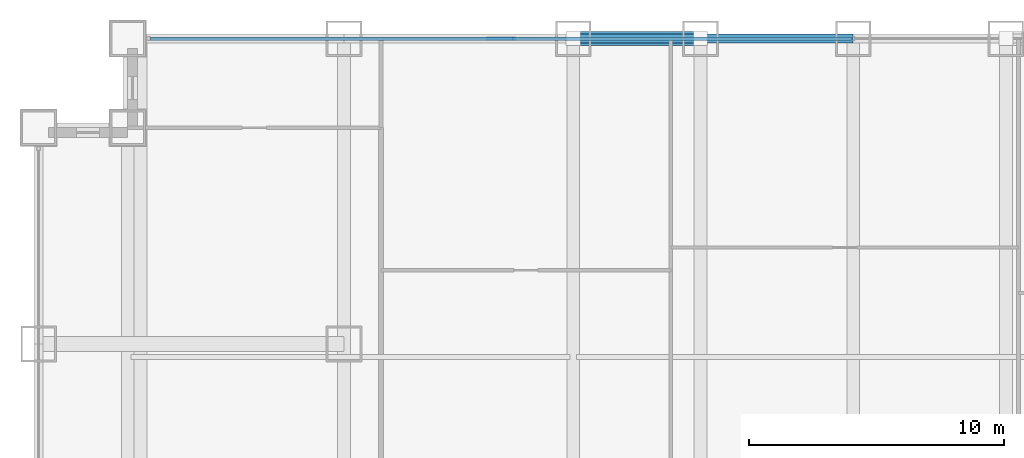
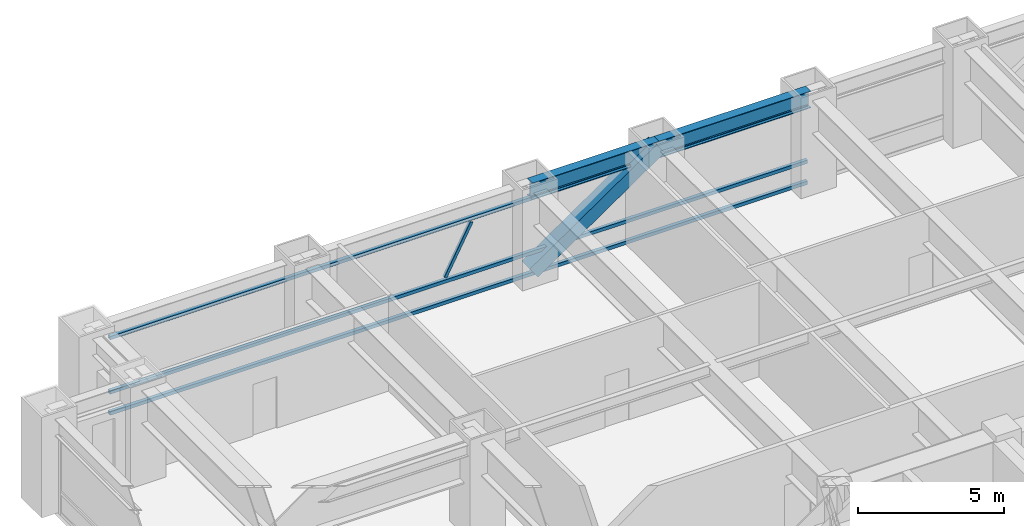
# One storey, part 18 of 29: 5 members, 2 beams, 1 element without a shape of its own.
"""IFC4 building model written with IfcOpenShell, lengths in metres."""

from ifc_helpers import new_model, si_unit, direction, frame, origin, origin_2d, place, context, subcontext, project, spatial, hollow_rectangle, i_section, extrude, source, transform, mapped, material, material_profile, profile_set, type_object, element, aggregate, save


model = new_model("IFC4")

# Units and contexts
model_context = context("Model", 3, precision=1e-05, world=origin(), true_north=direction((0.0, 1.0)))
body_context = subcontext(model_context, "Body", "Model", "MODEL_VIEW")
ifc_project = project(units=[si_unit("LENGTHUNIT", "METRE"), si_unit("AREAUNIT", "SQUARE_METRE"), si_unit("VOLUMEUNIT", "CUBIC_METRE"), si_unit("PLANEANGLEUNIT", "RADIAN"), si_unit("MASSUNIT", "GRAM", prefix="KILO")], contexts=[model_context])

# Site, building, storey
site_placement = place(None, origin())
site = spatial("IfcSite", under=ifc_project, at=site_placement, CompositionType="ELEMENT")
building_placement = place(site_placement, origin())
building = spatial("IfcBuilding", under=site, at=building_placement, Name="Khorayat Bourse Tower", CompositionType="ELEMENT")
storey_placement = place(building_placement, frame((0.0, 0.0, 87.199951171875)))
storey = spatial("IfcBuildingStorey", under=building, at=storey_placement, Name="L19", CompositionType="ELEMENT", Elevation=87.199951171875)

# Beams
ifc_material_1 = material(Name="Steel ASTM A992 Grade 50", Category="steel")
ifc_material_profile_1 = material_profile(ifc_material_1, i_section(OverallWidth=0.35498046875, OverallDepth=0.695068359375, WebThickness=0.015380859375, FlangeThickness=0.02490234375, FilletRadius=0.01806640625, at=origin_2d()), Name="W690X217")
ifc_profile_set_1 = profile_set([ifc_material_profile_1], Name="Steel ASTM A992 Grade 50")
beam_type = type_object("IfcBeamType", Name="BM-SPAN-690", PredefinedType="SPANDREL", material=ifc_profile_set_1)
shared_shape_1 = source(origin(), body_context, "Body", "SweptSolid", [
    extrude(i_section(OverallWidth=0.35498046875, OverallDepth=0.695068359375, WebThickness=0.015380859375, FlangeThickness=0.02490234375, FilletRadius=0.01806640625, at=origin_2d()), origin(), (0.0, 0.0, 1.0), 5.0),
])
beam_1_placement = place(storey_placement, frame((-11.0, 32.0, 3.592529296875), z_axis=(1.0, 0.0, 0.0), x_axis=(0.0, 1.0, 0.0)))
element("IfcBeam", 1, at=beam_1_placement, inside=storey, type_object=beam_type, Name="L19 BM-SPAN-690 BM-L19-SPN-049", PredefinedType="SPANDREL", context=body_context, shape_type="MappedRepresentation", body=[
    mapped(shared_shape_1, transform((0.0, 0.0, 0.0), scale=1.0)),
])
shared_shape_2 = source(origin(), body_context, "Body", "SweptSolid", [
    extrude(i_section(OverallWidth=0.35498046875, OverallDepth=0.695068359375, WebThickness=0.015380859375, FlangeThickness=0.02490234375, FilletRadius=0.01806640625, at=origin_2d()), origin(), (0.0, 0.0, 1.0), 6.0),
])
beam_2_placement = place(storey_placement, frame((-6.0, 32.0, 3.592529296875), z_axis=(1.0, 0.0, 0.0), x_axis=(0.0, 1.0, 0.0)))
element("IfcBeam", 2, at=beam_2_placement, inside=storey, type_object=beam_type, Name="L19 BM-SPAN-690 BM-L19-SPN-048", PredefinedType="SPANDREL", context=body_context, shape_type="MappedRepresentation", body=[
    mapped(shared_shape_2, transform((0.0, 0.0, 0.0), scale=1.0)),
])

# Member
ifc_material_2 = material(Name="Steel EN 10025-4 S460M", Category="steel")
ifc_material_profile_2 = material_profile(ifc_material_2, hollow_rectangle(XDim=0.550048828125, YDim=0.550048828125, WallThickness=0.031982421875, at=origin_2d()), Name="HSS 550x550x32")
ifc_profile_set_2 = profile_set([ifc_material_profile_2], Name="Steel EN 10025-4 S460M")
member_type_1 = type_object("IfcMemberType", Name="MBR-TUBE-550", PredefinedType="BRACE", material=ifc_profile_set_2)
shared_shape_3 = source(origin(), body_context, "Body", "SweptSolid", [
    extrude(hollow_rectangle(XDim=0.550048828125, YDim=0.550048828125, WallThickness=0.031982421875, at=origin_2d()), origin(), (0.0, 0.0, 1.0), 6.069091796875),
])
member_1_placement = place(storey_placement, frame((-11.0, 32.0, 0.25), z_axis=(0.823854080622, 0.0, 0.566801952928), x_axis=(0.0, 1.0, 0.0)))
element("IfcMember", 3, at=member_1_placement, inside=storey, type_object=member_type_1, Name="L19 Perimeter Tube Brace 03", PredefinedType="BRACE", context=body_context, shape_type="MappedRepresentation", body=[
    mapped(shared_shape_3, transform((0.0, 0.0, 0.0), scale=1.0)),
])

# Curtain wall, members
ifc_material_3 = material(Name="Aluminium EN AW-6063 T6", Category="aluminium")
curtain_wall_type = type_object("IfcCurtainWallType", Name="CW-SYS-02", PredefinedType="NOTDEFINED", material=ifc_material_3)
curtain_wall_placement = place(storey_placement, origin())
curtain_wall = element("IfcCurtainWall", 4, at=curtain_wall_placement, inside=storey, type_object=curtain_wall_type, Name="L19 Curtain Wall CW-L19-N1", PredefinedType="NOTDEFINED")
ifc_material_profile_3 = material_profile(ifc_material_3, hollow_rectangle(XDim=0.1201171875, YDim=0.1201171875, WallThickness=0.0048828125, at=origin_2d()), Name="ALU 120x120x5")
ifc_profile_set_3 = profile_set([ifc_material_profile_3], Name="Aluminium EN AW-6063 T6")
member_type_2 = type_object("IfcMemberType", Name="CWM-DIAG-120", PredefinedType="MULLION", material=ifc_profile_set_3)
shared_shape_4 = source(origin(), body_context, "Body", "SweptSolid", [
    extrude(hollow_rectangle(XDim=0.1201171875, YDim=0.1201171875, WallThickness=0.0048828125, at=origin_2d()), origin(), (0.0, 0.0, 1.0), 2.22607421875),
])
member_2_placement = place(storey_placement, frame((-14.3583984375, 32.0, 1.10009765625), z_axis=(0.465759992596, 0.0, 0.884911085532), x_axis=(0.0, 1.0, 0.0)))
member_2 = element("IfcMember", 5, at=member_2_placement, type_object=member_type_2, Name="CW-L19-N1 Faceted Diagonal Mullion 1", PredefinedType="MULLION", context=body_context, shape_type="MappedRepresentation", body=[
    mapped(shared_shape_4, transform((0.0, 0.0, 0.0), scale=1.0)),
])
ifc_material_profile_4 = material_profile(ifc_material_3, hollow_rectangle(XDim=0.139892578125, YDim=0.139892578125, WallThickness=0.006103515625, at=origin_2d()), Name="ALU 140x140x6")
ifc_profile_set_4 = profile_set([ifc_material_profile_4], Name="Aluminium EN AW-6063 T6")
member_type_3 = type_object("IfcMemberType", Name="CWT-HORZ-140", PredefinedType="USERDEFINED", material=ifc_profile_set_4)
shared_shape_5 = source(origin(), body_context, "Body", "SweptSolid", [
    extrude(hollow_rectangle(XDim=0.139892578125, YDim=0.139892578125, WallThickness=0.006103515625, at=origin_2d()), origin(), (0.0, 0.0, 1.0), 27.5400390625),
])
member_3_placement = place(storey_placement, frame((-27.610107421875, 32.0, 0.070068359375), z_axis=(1.0, 0.0, 0.0), x_axis=(0.0, 1.0, 0.0)))
member_3 = element("IfcMember", 6, at=member_3_placement, type_object=member_type_3, Name="CW-L19-N1 Horizontal Transom 1-1", ObjectType="TRANSOM", PredefinedType="USERDEFINED", context=body_context, shape_type="MappedRepresentation", body=[
    mapped(shared_shape_5, transform((0.0, 0.0, 0.0), scale=1.0)),
])
member_4_placement = place(storey_placement, frame((-27.610107421875, 32.0, 0.949951171875), z_axis=(1.0, 0.0, 0.0), x_axis=(0.0, 1.0, 0.0)))
member_4 = element("IfcMember", 7, at=member_4_placement, type_object=member_type_3, Name="CW-L19-N1 Horizontal Transom 1-2", ObjectType="TRANSOM", PredefinedType="USERDEFINED", context=body_context, shape_type="MappedRepresentation", body=[
    mapped(shared_shape_5, transform((0.0, 0.0, 0.0), scale=1.0)),
])
member_5_placement = place(storey_placement, frame((-27.610107421875, 32.0, 3.219970703125), z_axis=(1.0, 0.0, 0.0), x_axis=(0.0, 1.0, 0.0)))
member_5 = element("IfcMember", 8, at=member_5_placement, type_object=member_type_3, Name="CW-L19-N1 Horizontal Transom 1-3", ObjectType="TRANSOM", PredefinedType="USERDEFINED", context=body_context, shape_type="MappedRepresentation", body=[
    mapped(shared_shape_5, transform((0.0, 0.0, 0.0), scale=1.0)),
])
aggregate(curtain_wall, [member_3, member_4, member_5, member_2])

save(model, "model.ifc")
